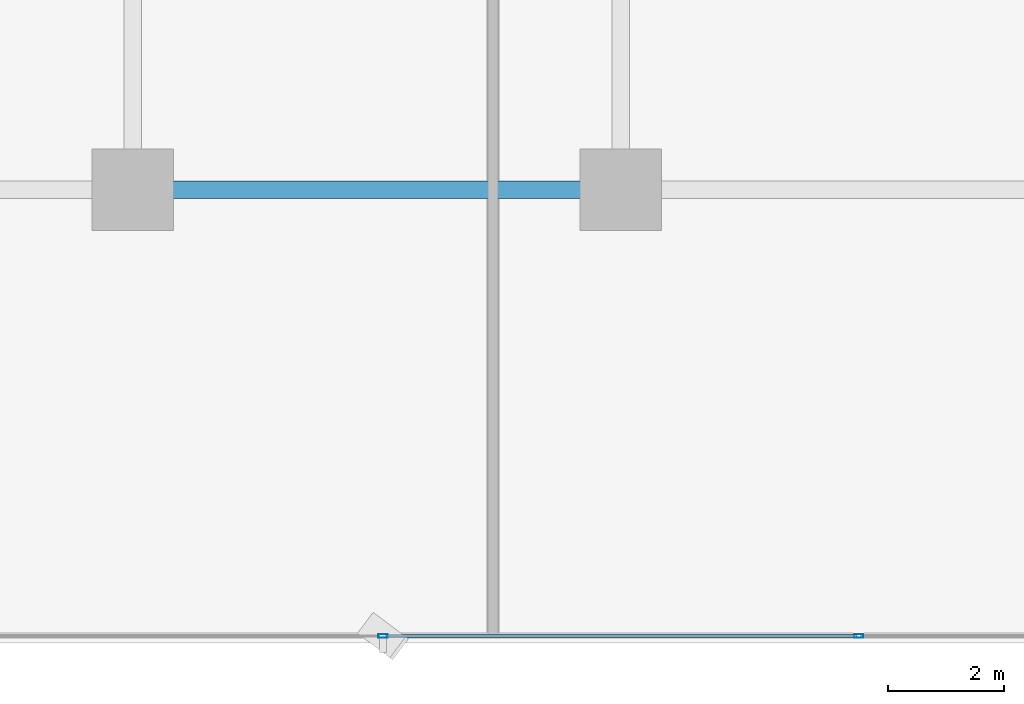
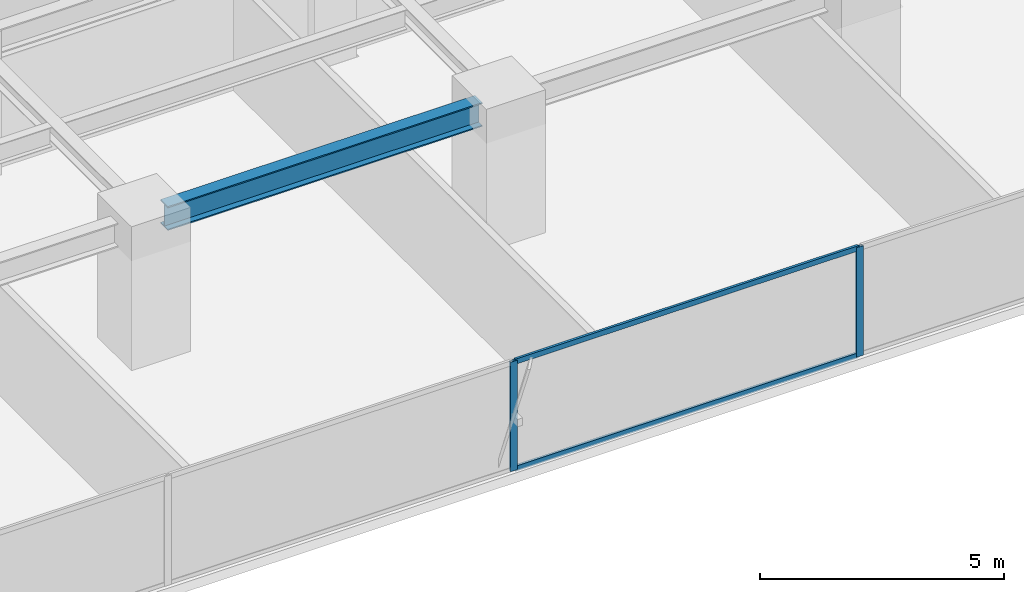
# One storey, part 6 of 37: 4 members, 1 beam, 1 element without a shape of its own.
"""IFC4 building model written with IfcOpenShell, lengths in metres."""

import ifcopenshell
import ifcopenshell.guid

model = None  # the IFC model being written
_history = None  # IfcOwnerHistory: only IFC2X3 demands one
_inside = {}  # id of a spatial element -> (the spatial element, [elements in it])
_under = {}  # id of a project, library or spatial element -> (it, [spatial elements below it])
_declared = {}  # id of a project -> (the project, [libraries it declares])
_typed = {}  # id of a type object -> (the type object, [elements of that type])
_made_of = {}  # id of a material, layer set ... -> (it, [elements and type objects made of it])


def new_model(schema):
    """Start an empty IFC model of exactly this schema.

    Asked for "IFC4X3", IfcOpenShell would pick the latest addendum, in which some entities
    have other attributes; the version numbers below select the first issue.
    IFC2X3 requires an IfcOwnerHistory on every rooted entity: one is made here for all.
    """
    global model, _history
    if schema == "IFC4X3":
        model = ifcopenshell.file(schema_version=(4, 3, 0, 0))
    else:
        model = ifcopenshell.file(schema=schema)
    _inside.clear()
    _under.clear()
    _declared.clear()
    _typed.clear()
    _made_of.clear()
    _history = None
    if model.schema == "IFC2X3":
        org = make("IfcOrganization", Name="unknown")
        user = make(
            "IfcPersonAndOrganization",
            ThePerson=make("IfcPerson", FamilyName="unknown"),
            TheOrganization=org,
        )
        app = make(
            "IfcApplication",
            ApplicationDeveloper=org,
            Version="unknown",
            ApplicationFullName="unknown",
            ApplicationIdentifier="unknown",
        )
        _history = make(
            "IfcOwnerHistory",
            OwningUser=user,
            OwningApplication=app,
            ChangeAction="ADDED",
            CreationDate=0,
        )
    return model


def make(cls, **values):
    """One entity of the class cls with the attributes given. An attribute that is None is left unset."""
    return model.create_entity(
        cls, **{name: value for name, value in values.items() if value is not None}
    )


def rooted(cls, **values):
    """An entity with a GlobalId (a new one), such as an element, a storey or a relation."""
    return make(cls, GlobalId=ifcopenshell.guid.new(), OwnerHistory=_history, **values)


def si_unit(unit_type, name, prefix=None):
    """IfcSIUnit, for example si_unit("LENGTHUNIT", "METRE", prefix="MILLI")."""
    return make("IfcSIUnit", UnitType=unit_type, Prefix=prefix, Name=name)


def assignment(units):
    """IfcUnitAssignment: the units of a project."""
    return None if units is None else make("IfcUnitAssignment", Units=units)


def point(xyz):
    """IfcCartesianPoint."""
    return None if xyz is None else make("IfcCartesianPoint", Coordinates=xyz)


def direction(xyz):
    """IfcDirection."""
    return None if xyz is None else make("IfcDirection", DirectionRatios=xyz)


def frame(location, z_axis=None, x_axis=None):
    """IfcAxis2Placement3D, a coordinate frame: its origin and axes. An axis left out is left unset."""
    return make(
        "IfcAxis2Placement3D",
        Location=point(location),
        Axis=direction(z_axis),
        RefDirection=direction(x_axis),
    )


def frame_2d(location, x_axis=None):
    """IfcAxis2Placement2D, a coordinate frame in the plane: its origin and x axis."""
    return make(
        "IfcAxis2Placement2D", Location=point(location), RefDirection=direction(x_axis)
    )


def origin():
    """The frame at (0, 0, 0) with its axes left unset."""
    return frame((0.0, 0.0, 0.0))


def origin_2d():
    """The frame at (0, 0) in the plane with its x axis left unset."""
    return frame_2d((0.0, 0.0))


def place(relative_to, where):
    """IfcLocalPlacement: puts the frame where relative to a parent placement (None: the world)."""
    return make(
        "IfcLocalPlacement", PlacementRelTo=relative_to, RelativePlacement=where
    )


def context(
    kind, dimensions, precision=None, world=None, true_north=None, identifier=None
):
    """IfcGeometricRepresentationContext, for example the 3D "Model" context."""
    return make(
        "IfcGeometricRepresentationContext",
        ContextIdentifier=identifier,
        ContextType=kind,
        CoordinateSpaceDimension=dimensions,
        Precision=precision,
        WorldCoordinateSystem=world,
        TrueNorth=true_north,
    )


def subcontext(parent, identifier, kind, view, scale=None):
    """IfcGeometricRepresentationSubContext, for example "Body" below "Model"."""
    return make(
        "IfcGeometricRepresentationSubContext",
        ContextIdentifier=identifier,
        ContextType=kind,
        ParentContext=parent,
        TargetScale=scale,
        TargetView=view,
    )


def project(units=None, contexts=None):
    """IfcProject with its units and contexts."""
    return rooted(
        "IfcProject",
        Name="project",
        RepresentationContexts=contexts,
        UnitsInContext=assignment(units),
    )


def spatial(cls, under=None, at=None, **own):
    """A site, building, storey or space (cls), placed at a placement, below another one or the project."""
    s = rooted(cls, ObjectPlacement=at, **own)
    if under is not None:
        _under.setdefault(under.id(), (under, []))[1].append(s)
    return s


def profile(cls, at=None, kind="AREA", **sizes):
    """A parametric profile (cls). Its sizes go by their IFC names, for example OverallWidth=200.0."""
    return make(cls, ProfileType=kind, Position=at, **sizes)


def hollow_rectangle(**sizes):
    """IfcRectangleHollowProfileDef."""
    return profile("IfcRectangleHollowProfileDef", **sizes)


def i_section(**sizes):
    """IfcIShapeProfileDef."""
    return profile("IfcIShapeProfileDef", **sizes)


def extrude(swept, where, along, depth):
    """IfcExtrudedAreaSolid: the profile swept, set in the frame where, extruded along a direction by depth."""
    return make(
        "IfcExtrudedAreaSolid",
        SweptArea=swept,
        Position=where,
        ExtrudedDirection=direction(along),
        Depth=depth,
    )


def shape(context_of_items, identifier, shape_type, items):
    """IfcShapeRepresentation: the items that make up one representation, for example the "Body"."""
    return make(
        "IfcShapeRepresentation",
        ContextOfItems=context_of_items,
        RepresentationIdentifier=identifier,
        RepresentationType=shape_type,
        Items=items,
    )


def source(mapping_origin, context_of_items, identifier, shape_type, items):
    """IfcRepresentationMap: a shape defined once, which mapped items show again and again."""
    return make(
        "IfcRepresentationMap",
        MappingOrigin=mapping_origin,
        MappedRepresentation=shape(context_of_items, identifier, shape_type, items),
    )


def transform(
    local_origin,
    x_axis=None,
    y_axis=None,
    z_axis=None,
    scale=None,
    scale2=None,
    scale3=None,
    uniform=True,
):
    """IfcCartesianTransformationOperator3D, or its non-uniform kind. x_axis, y_axis, z_axis: its Axis1, 2, 3."""
    if uniform:
        return make(
            "IfcCartesianTransformationOperator3D",
            Axis1=direction(x_axis),
            Axis2=direction(y_axis),
            LocalOrigin=point(local_origin),
            Scale=scale,
            Axis3=direction(z_axis),
        )
    return make(
        "IfcCartesianTransformationOperator3DnonUniform",
        Axis1=direction(x_axis),
        Axis2=direction(y_axis),
        LocalOrigin=point(local_origin),
        Scale=scale,
        Axis3=direction(z_axis),
        Scale2=scale2,
        Scale3=scale3,
    )


def mapped(mapping_source, mapping_target):
    """IfcMappedItem: shows the shape of a source again, moved by a transform."""
    return make(
        "IfcMappedItem", MappingSource=mapping_source, MappingTarget=mapping_target
    )


def material(Name=None, Category=None):
    """IfcMaterial."""
    return make("IfcMaterial", Name=Name, Category=Category)


def layer(
    of_material, thickness, ventilated=None, Name=None, Category=None, Priority=None
):
    """IfcMaterialLayer: one layer of a wall or slab, of a material (None: an air gap)."""
    return make(
        "IfcMaterialLayer",
        Material=of_material,
        LayerThickness=thickness,
        IsVentilated=ventilated,
        Name=Name,
        Category=Category,
        Priority=Priority,
    )


def layer_set(layers, Name=None):
    """IfcMaterialLayerSet."""
    return make("IfcMaterialLayerSet", MaterialLayers=layers, LayerSetName=Name)


def material_profile(
    of_material, cross_section, Name=None, Category=None, Priority=None
):
    """IfcMaterialProfile: a cross section and its material."""
    return make(
        "IfcMaterialProfile",
        Name=Name,
        Material=of_material,
        Profile=cross_section,
        Priority=Priority,
        Category=Category,
    )


def profile_set(profiles, Name=None, composite=None):
    """IfcMaterialProfileSet."""
    return make(
        "IfcMaterialProfileSet",
        Name=Name,
        MaterialProfiles=profiles,
        CompositeProfile=composite,
    )


def made_of(thing, what):
    """Note that an element or type object is made of a material, layer set ...; save() writes the relation."""
    if what is not None:
        _made_of.setdefault(what.id(), (what, []))[1].append(thing)
    return thing


def type_object(cls, material=None, **own):
    """A type object (cls), such as IfcWallType, which elements share."""
    return made_of(rooted(cls, **own), material)


def element(
    cls,
    number,
    at=None,
    inside=None,
    cuts=None,
    type_object=None,
    material=None,
    context=None,
    identifier="Body",
    shape_type=None,
    held_by="IfcProductDefinitionShape",
    body=None,
    shapes=None,
    **own,
):
    """One element of the class cls, such as IfcWall. Its Tag is "e" and its number.

    at: its placement. inside: the storey or other place that contains it. cuts: it is an
    opening in that element (IfcRelVoidsElement). A single representation is given by context,
    identifier, shape_type and body (its items); several are given by shapes. held_by: the class
    of the entity that holds the representations. save() writes the other relations.
    """
    e = rooted(cls, Tag="e%d" % number, ObjectPlacement=at, **own)
    if body is not None:
        shapes = [shape(context, identifier, shape_type, body)]
    if shapes is not None:
        e.Representation = make(held_by, Representations=shapes)
    if inside is not None:
        _inside.setdefault(inside.id(), (inside, []))[1].append(e)
    if cuts is not None:
        rooted(
            "IfcRelVoidsElement", RelatingBuildingElement=cuts, RelatedOpeningElement=e
        )
    if type_object is not None:
        _typed.setdefault(type_object.id(), (type_object, []))[1].append(e)
    return made_of(e, material)


def aggregate(whole, parts):
    """IfcRelAggregates: a whole, such as a stair, and the parts it consists of."""
    return rooted("IfcRelAggregates", RelatingObject=whole, RelatedObjects=parts)


def save(model, path):
    """Write the relations noted so far, then the file.

    IfcRelAggregates (storeys below a building ...), IfcRelContainedInSpatialStructure (elements
    in a storey), IfcRelDefinesByType, IfcRelAssociatesMaterial and IfcRelDeclares: one each for
    every whole, place, type object, material and project.
    """
    for whole, parts in _under.values():
        aggregate(whole, parts)
    for where, things in _inside.values():
        rooted(
            "IfcRelContainedInSpatialStructure",
            RelatedElements=things,
            RelatingStructure=where,
        )
    for kind, things in _typed.values():
        rooted("IfcRelDefinesByType", RelatedObjects=things, RelatingType=kind)
    for what, things in _made_of.values():
        rooted("IfcRelAssociatesMaterial", RelatedObjects=things, RelatingMaterial=what)
    for by, libraries in _declared.values():
        rooted("IfcRelDeclares", RelatingContext=by, RelatedDefinitions=libraries)
    model.write(path)


model = new_model("IFC4")

# Units and contexts
model_context = context("Model", 3, precision=1e-05, world=origin(), true_north=direction((0.0, 1.0)))
body_context = subcontext(model_context, "Body", "Model", "MODEL_VIEW")
ifc_project = project(units=[si_unit("LENGTHUNIT", "METRE"), si_unit("AREAUNIT", "SQUARE_METRE"), si_unit("VOLUMEUNIT", "CUBIC_METRE"), si_unit("PLANEANGLEUNIT", "RADIAN"), si_unit("MASSUNIT", "GRAM", prefix="KILO")], contexts=[model_context])

# Site, building, storey
site_placement = place(None, origin())
site = spatial("IfcSite", under=ifc_project, at=site_placement, CompositionType="ELEMENT")
building_placement = place(site_placement, origin())
building = spatial("IfcBuilding", under=site, at=building_placement, Name="Sumidabori Civic Tower", CompositionType="ELEMENT")
storey_placement = place(building_placement, frame((0.0, 0.0, 110.0)))
storey = spatial("IfcBuildingStorey", under=building, at=storey_placement, Name="L28", CompositionType="ELEMENT", Elevation=110.0)

# Beam
ifc_material_1 = material(Name="Steel SN490", Category="steel")
ifc_material_profile_1 = material_profile(ifc_material_1, i_section(OverallWidth=0.300048828125, OverallDepth=0.60009765625, WebThickness=0.015380859375, FlangeThickness=0.030029296875, at=origin_2d()), Name="HE 600 B")
ifc_profile_set_1 = profile_set([ifc_material_profile_1], Name="Steel SN490")
beam_type = type_object("IfcBeamType", Name="BM-GIRD-600", PredefinedType="BEAM", material=ifc_profile_set_1)
shared_shape_1 = source(origin(), body_context, "Body", "SweptSolid", [
    extrude(i_section(OverallWidth=0.300048828125, OverallDepth=0.60009765625, WebThickness=0.015380859375, FlangeThickness=0.030029296875, at=origin_2d()), origin(), (0.0, 0.0, 1.0), 7.43994140625),
])
beam_placement = place(storey_placement, frame((-7.919921875, -18.0, 3.06005859375), z_axis=(1.0, 0.0, 0.0), x_axis=(0.0, 1.0, 0.0)))
element("IfcBeam", 1, at=beam_placement, inside=storey, type_object=beam_type, Name="Primary Girder L28 GX-03", PredefinedType="BEAM", context=body_context, shape_type="MappedRepresentation", body=[
    mapped(shared_shape_1, transform((0.0, 0.0, 0.0), x_axis=(1.0, 0.0, 0.0), y_axis=(0.0, 1.0, 0.0), z_axis=(0.0, 0.0, 1.0), scale=1.0)),
])

# Curtain wall, members
ifc_material_2 = material(Name="Anodised Bronze Aluminium AW-6063-T6", Category="aluminium")
ifc_layer = layer(ifc_material_2, 0.179931640625, Name="Anodised Bronze Aluminium AW-6063-T6")
ifc_layer_set = layer_set([ifc_layer], Name="Anodised Bronze Aluminium AW-6063-T6")
curtain_wall_type = type_object("IfcCurtainWallType", Name="CW-SYS-3", PredefinedType="NOTDEFINED", material=ifc_layer_set)
curtain_wall_placement = place(storey_placement, origin())
curtain_wall = element("IfcCurtainWall", 2, at=curtain_wall_placement, inside=storey, type_object=curtain_wall_type, Name="Curtain Wall CW:L28:R01", PredefinedType="NOTDEFINED")
ifc_material_profile_2 = material_profile(ifc_material_2, hollow_rectangle(XDim=0.06494140625, YDim=0.159912109375, WallThickness=0.0048828125, at=origin_2d()), Name="ALU MULLION 160x65")
ifc_profile_set_2 = profile_set([ifc_material_profile_2], Name="Anodised Bronze Aluminium AW-6063-T6")
member_type_1 = type_object("IfcMemberType", Name="CW-MUL-160", PredefinedType="MULLION", material=ifc_profile_set_2)
shared_shape_2 = source(origin(), body_context, "Body", "SweptSolid", [
    extrude(hollow_rectangle(XDim=0.06494140625, YDim=0.159912109375, WallThickness=0.0048828125, at=origin_2d()), origin(), (0.0, 0.0, 1.0), 2.739990234375),
])
member_1_placement = place(storey_placement, frame((-4.093994140625, -25.679931640625, 0.0), z_axis=(0.0, 0.0, 1.0), x_axis=(0.0, 1.0, 0.0)))
member_1 = element("IfcMember", 3, at=member_1_placement, type_object=member_type_1, Name="CW-3 mullion 3", PredefinedType="MULLION", context=body_context, shape_type="MappedRepresentation", body=[
    mapped(shared_shape_2, transform((0.0, 0.0, 0.0), x_axis=(1.0, 0.0, 0.0), y_axis=(0.0, 1.0, 0.0), z_axis=(0.0, 0.0, 1.0), scale=1.0)),
])
member_2_placement = place(storey_placement, frame((4.093994140625, -25.679931640625, 0.0), z_axis=(0.0, 0.0, 1.0), x_axis=(0.0, 1.0, 0.0)))
member_2 = element("IfcMember", 4, at=member_2_placement, type_object=member_type_1, Name="CW-3 mullion 4", PredefinedType="MULLION", context=body_context, shape_type="MappedRepresentation", body=[
    mapped(shared_shape_2, transform((0.0, 0.0, 0.0), x_axis=(1.0, 0.0, 0.0), y_axis=(0.0, 1.0, 0.0), z_axis=(0.0, 0.0, 1.0), scale=1.0)),
])
ifc_material_profile_3 = material_profile(ifc_material_2, hollow_rectangle(XDim=0.06005859375, YDim=0.1298828125, WallThickness=0.0048828125, at=origin_2d()), Name="ALU TRANSOM 130x60")
ifc_profile_set_3 = profile_set([ifc_material_profile_3], Name="Anodised Bronze Aluminium AW-6063-T6")
member_type_2 = type_object("IfcMemberType", Name="CW-TRN-130", PredefinedType="USERDEFINED", material=ifc_profile_set_3)
shared_shape_3 = source(origin(), body_context, "Body", "SweptSolid", [
    extrude(hollow_rectangle(XDim=0.06005859375, YDim=0.1298828125, WallThickness=0.0048828125, at=origin_2d()), origin(), (0.0, 0.0, 1.0), 8.123046875),
])
member_3_placement = place(storey_placement, frame((-4.0615234375, -25.679931640625, 0.030029296875), z_axis=(1.0, 0.0, 0.0), x_axis=(0.0, 1.0, 0.0)))
member_3 = element("IfcMember", 5, at=member_3_placement, type_object=member_type_2, Name="CW-3 transom 3.1", ObjectType="TRANSOM", PredefinedType="USERDEFINED", context=body_context, shape_type="MappedRepresentation", body=[
    mapped(shared_shape_3, transform((0.0, 0.0, 0.0), x_axis=(1.0, 0.0, 0.0), y_axis=(0.0, 1.0, 0.0), z_axis=(0.0, 0.0, 1.0), scale=1.0)),
])
member_4_placement = place(storey_placement, frame((-4.0615234375, -25.679931640625, 2.7099609375), z_axis=(1.0, 0.0, 0.0), x_axis=(0.0, 1.0, 0.0)))
member_4 = element("IfcMember", 6, at=member_4_placement, type_object=member_type_2, Name="CW-3 transom 3.2", ObjectType="TRANSOM", PredefinedType="USERDEFINED", context=body_context, shape_type="MappedRepresentation", body=[
    mapped(shared_shape_3, transform((0.0, 0.0, 0.0), x_axis=(1.0, 0.0, 0.0), y_axis=(0.0, 1.0, 0.0), z_axis=(0.0, 0.0, 1.0), scale=1.0)),
])
aggregate(curtain_wall, [member_1, member_2, member_3, member_4])

save(model, "model.ifc")
